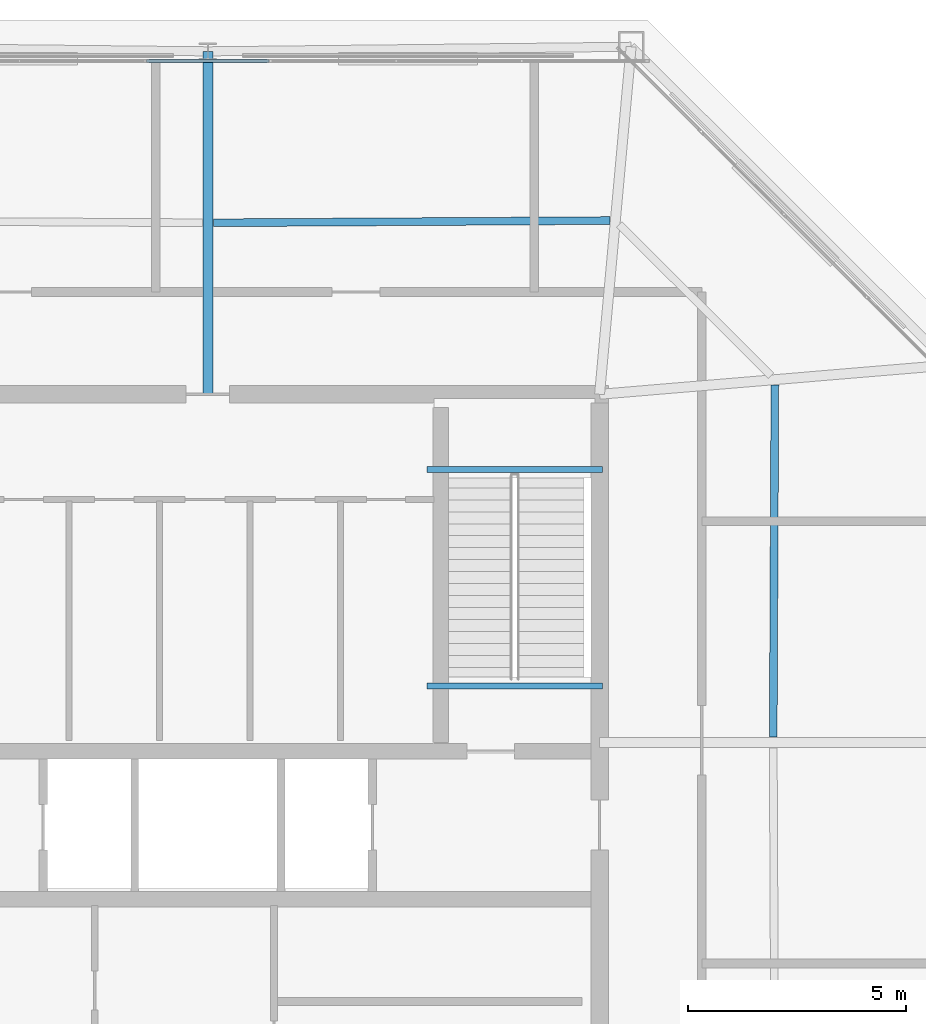
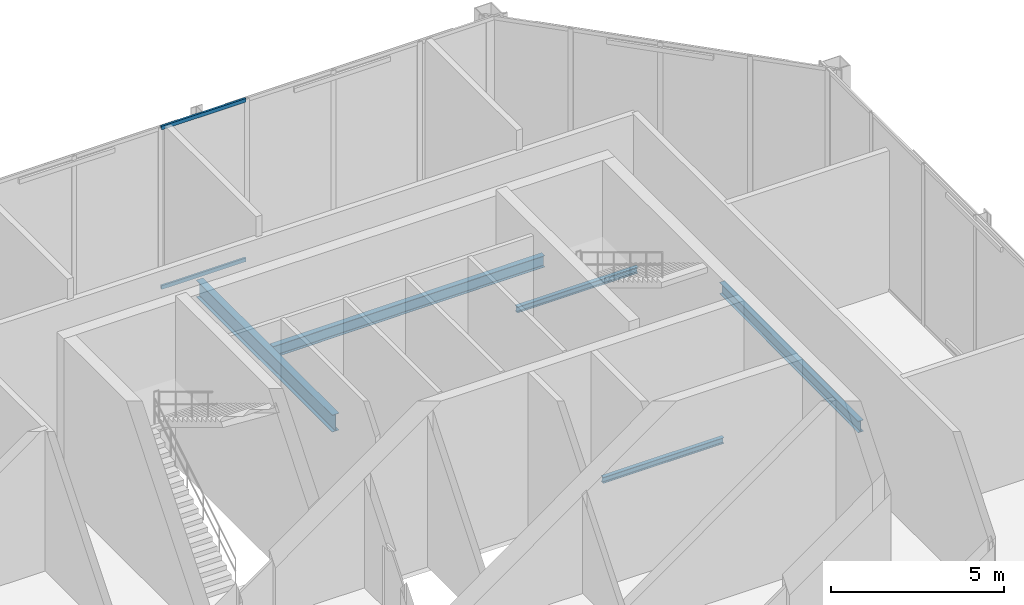
# One storey, part 12 of 20: 5 beams, 2 members, 1 element without a shape of its own.
"""IFC4 building model written with IfcOpenShell, lengths in metres."""

from ifc_helpers import new_model, si_unit, direction, frame, origin, origin_2d, place, context, subcontext, project, spatial, hollow_rectangle, i_section, extrude, material, layer, layer_set, material_profile, profile_set, type_object, element, aggregate, save


model = new_model("IFC4")

# Units and contexts
model_context = context("Model", 3, precision=1e-05, world=origin(), true_north=direction((0.0, 1.0)))
body_context = subcontext(model_context, "Body", "Model", "MODEL_VIEW")
ifc_project = project(units=[si_unit("LENGTHUNIT", "METRE"), si_unit("AREAUNIT", "SQUARE_METRE"), si_unit("VOLUMEUNIT", "CUBIC_METRE"), si_unit("PLANEANGLEUNIT", "RADIAN"), si_unit("MASSUNIT", "GRAM", prefix="KILO")], contexts=[model_context])

# Site, building, storey
site_placement = place(None, origin())
site = spatial("IfcSite", under=ifc_project, at=site_placement, CompositionType="ELEMENT")
building_placement = place(site_placement, origin())
building = spatial("IfcBuilding", under=site, at=building_placement, Name="Caelvoria Tower", CompositionType="ELEMENT")
storey_placement = place(building_placement, frame((0.0, 0.0, 284.199951171875)))
storey = spatial("IfcBuildingStorey", under=building, at=storey_placement, Name="C1", CompositionType="ELEMENT", Elevation=284.199951171875)

# Beams
ifc_material_1 = material(Name="Structural Steel ASTM A992 Gr.50", Category="steel")
ifc_material_profile_1 = material_profile(ifc_material_1, i_section(OverallWidth=0.134033203125, OverallDepth=0.2099609375, WebThickness=0.00634765625, FlangeThickness=0.01025390625, FilletRadius=0.010009765625, at=origin_2d()), Name="Structural Steel ASTM A992 Gr.50")
ifc_profile_set_1 = profile_set([ifc_material_profile_1], Name="W200X31.3 - Structural Steel ASTM A992 Gr.50")
beam_type_1 = type_object("IfcBeamType", Name="Canopy Edge Trim Beam W200X31.3", PredefinedType="BEAM", material=ifc_profile_set_1)
for number, where, z_axis, x_axis, name in (
    (1, (51.030029296875, 38.27490234375, 2.695068359375), (1.0, 0.0, 0.0), (0.0, 1.0, 0.0), "ST-02 Half-Landing Support Beam C1"),
    (2, (51.030029296875, 33.300048828125, -0.304931640625), (1.0, 0.0, 0.0), (0.0, 1.0, 0.0), "ST-02 Floor-Landing Support Beam C1"),
):
    element("IfcBeam", number, at=place(storey_placement, frame(where, z_axis=z_axis, x_axis=x_axis)), inside=storey, type_object=beam_type_1, Name=name, PredefinedType="BEAM", context=body_context, shape_type="SweptSolid", body=[
        extrude(i_section(OverallWidth=0.134033203125, OverallDepth=0.2099609375, WebThickness=0.00634765625, FlangeThickness=0.01025390625, FilletRadius=0.010009765625, at=origin_2d()), origin(), (0.0, 0.0, 1.0), 4.0400390625),
    ])

# Curtain wall, members
ifc_material_2 = material(Name="Anodised Bronze Aluminium and Low-E Glass", Category="aluminium")
ifc_layer = layer(ifc_material_2, 0.179931640625, Name="Anodised Bronze Aluminium and Low-E Glass")
ifc_layer_set = layer_set([ifc_layer], Name="CW System 6 Slanted Crown Bronze Screen Facade - Anodised Bronze Aluminium and Low-E Glass")
curtain_wall_type = type_object("IfcCurtainWallType", Name="CW System 6 Slanted Crown Bronze Screen Facade", PredefinedType="NOTDEFINED", material=ifc_layer_set)
curtain_wall_placement = place(storey_placement, origin())
curtain_wall = element("IfcCurtainWall", 3, at=curtain_wall_placement, inside=storey, type_object=curtain_wall_type, Name="CW-06 Curtain Wall C1-E4", PredefinedType="NOTDEFINED")
ifc_material_3 = material(Name="Anodised Bronze Architectural Aluminium", Category="aluminium")
ifc_material_profile_2 = material_profile(ifc_material_3, hollow_rectangle(XDim=0.06494140625, YDim=0.1298828125, WallThickness=0.00341796875, at=origin_2d()), Name="Anodised Bronze Architectural Aluminium")
ifc_profile_set_2 = profile_set([ifc_material_profile_2], Name="CW_TRAN_65X130 - Anodised Bronze Architectural Aluminium")
member_type = type_object("IfcMemberType", Name="Curtain Wall Transom 65x130 Bronze Aluminium", PredefinedType="USERDEFINED", material=ifc_profile_set_2)
member_1_placement = place(storey_placement, frame((47.410400390625, 47.659912109375, 0.032470703125), z_axis=(-1.0, 0.0, 0.0), x_axis=(0.0, -1.0, 0.0)))
member_1 = element("IfcMember", 4, at=member_1_placement, type_object=member_type, Name="CW-06 transom 4.1", ObjectType="TRANSOM", PredefinedType="USERDEFINED", context=body_context, shape_type="SweptSolid", body=[
    extrude(hollow_rectangle(XDim=0.06494140625, YDim=0.1298828125, WallThickness=0.00341796875, at=origin_2d()), origin(), (0.0, 0.0, 1.0), 2.82080078125),
])
member_2_placement = place(storey_placement, frame((47.410400390625, 47.659912109375, 5.66748046875), z_axis=(-1.0, 0.0, 0.0), x_axis=(0.0, -1.0, 0.0)))
member_2 = element("IfcMember", 5, at=member_2_placement, type_object=member_type, Name="CW-06 transom 4.2", ObjectType="TRANSOM", PredefinedType="USERDEFINED", context=body_context, shape_type="SweptSolid", body=[
    extrude(hollow_rectangle(XDim=0.06494140625, YDim=0.1298828125, WallThickness=0.00341796875, at=origin_2d()), origin(), (0.0, 0.0, 1.0), 2.82080078125),
])
aggregate(curtain_wall, [member_1, member_2])

# Beams
ifc_material_profile_3 = material_profile(ifc_material_1, i_section(OverallWidth=0.22802734375, OverallDepth=0.60302734375, WebThickness=0.010498046875, FlangeThickness=0.014892578125, FilletRadius=0.01806640625, at=origin_2d()), Name="Structural Steel ASTM A992 Gr.50")
ifc_profile_set_3 = profile_set([ifc_material_profile_3], Name="W610X101 - Structural Steel ASTM A992 Gr.50")
beam_type_2 = type_object("IfcBeamType", Name="Primary Floor Girder W610X101", PredefinedType="BEAM", material=ifc_profile_set_3)
beam_1_placement = place(storey_placement, frame((46.0, 40.0, -0.6015625), z_axis=(0.0, 1.0, 0.0), x_axis=(-1.0, 0.0, 0.0)))
element("IfcBeam", 6, at=beam_1_placement, inside=storey, type_object=beam_type_2, Name="Primary Floor Girder C1-07", PredefinedType="BEAM", context=body_context, shape_type="SweptSolid", body=[
    extrude(i_section(OverallWidth=0.22802734375, OverallDepth=0.60302734375, WebThickness=0.010498046875, FlangeThickness=0.014892578125, FilletRadius=0.01806640625, at=origin_2d()), origin(), (0.0, 0.0, 1.0), 7.8798828125),
])
ifc_material_profile_4 = material_profile(ifc_material_1, i_section(OverallWidth=0.177978515625, OverallDepth=0.406982421875, WebThickness=0.0078125, FlangeThickness=0.0126953125, FilletRadius=0.013916015625, at=origin_2d()), Name="Structural Steel ASTM A992 Gr.50")
ifc_profile_set_4 = profile_set([ifc_material_profile_4], Name="W410X60 - Structural Steel ASTM A992 Gr.50")
beam_type_3 = type_object("IfcBeamType", Name="Secondary Floor Beam W410X60", PredefinedType="BEAM", material=ifc_profile_set_4)
beam_2_placement = place(storey_placement, frame((58.990478515625, 32.125, -0.50341796875), z_axis=(0.00470952391, 0.999988910131, 0.0), x_axis=(-0.999988910131, 0.00470952391, 0.0)))
element("IfcBeam", 7, at=beam_2_placement, inside=storey, type_object=beam_type_3, Name="Secondary Floor Beam C1-04", PredefinedType="BEAM", context=body_context, shape_type="SweptSolid", body=[
    extrude(i_section(OverallWidth=0.177978515625, OverallDepth=0.406982421875, WebThickness=0.0078125, FlangeThickness=0.0126953125, FilletRadius=0.013916015625, at=origin_2d()), origin(), (0.0, 0.0, 1.0), 8.0869140625),
])
beam_3_placement = place(storey_placement, frame((55.23779296875, 43.99169921875, -0.50341796875), z_axis=(-0.999984324209, -0.005599226377, 0.0), x_axis=(0.005599226377, -0.999984324209, 0.0)))
element("IfcBeam", 8, at=beam_3_placement, inside=storey, type_object=beam_type_3, Name="Secondary Floor Beam C1-06", PredefinedType="BEAM", context=body_context, shape_type="SweptSolid", body=[
    extrude(i_section(OverallWidth=0.177978515625, OverallDepth=0.406982421875, WebThickness=0.0078125, FlangeThickness=0.0126953125, FilletRadius=0.013916015625, at=origin_2d()), origin(), (0.0, 0.0, 1.0), 9.113037109375),
])

save(model, "model.ifc")
